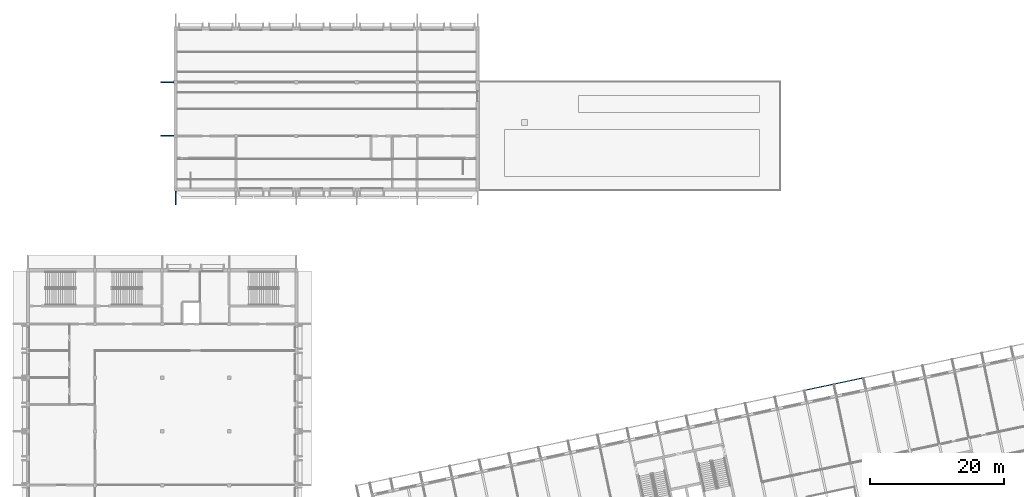
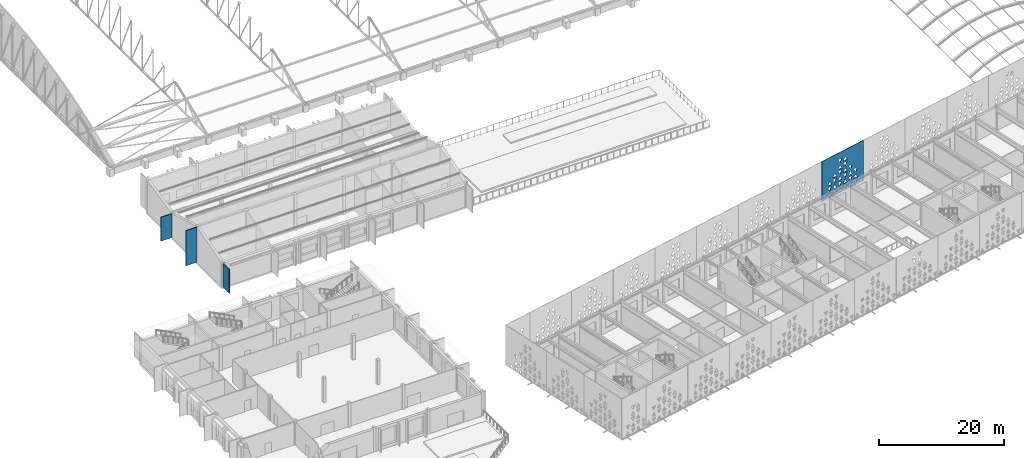
# One storey, part 106 of 196: 4 plates.
"""IFC4 building model written with IfcOpenShell, lengths in metres."""

from ifc_helpers import new_model, si_unit, direction, frame, origin, origin_2d, place, context, subcontext, project, spatial, polyline, rectangle, outline, extrude, material, layer, layer_set, type_object, element, save


model = new_model("IFC4")

# Units and contexts
model_context = context("Model", 3, precision=1e-05, world=origin(), true_north=direction((0.0, 1.0)))
body_context = subcontext(model_context, "Body", "Model", "MODEL_VIEW")
ifc_project = project(units=[si_unit("LENGTHUNIT", "METRE"), si_unit("AREAUNIT", "SQUARE_METRE"), si_unit("VOLUMEUNIT", "CUBIC_METRE"), si_unit("PLANEANGLEUNIT", "RADIAN"), si_unit("MASSUNIT", "GRAM", prefix="KILO")], contexts=[model_context])

# Site, building, storey
site_placement = place(None, origin())
site = spatial("IfcSite", under=ifc_project, at=site_placement, CompositionType="ELEMENT")
building_placement = place(site_placement, origin())
building = spatial("IfcBuilding", under=site, at=building_placement, Name="Okhra Congress Centre", CompositionType="ELEMENT")
storey_placement = place(building_placement, frame((0.0, 0.0, 12.0)))
storey = spatial("IfcBuildingStorey", under=building, at=storey_placement, Name="L02", CompositionType="ELEMENT", Elevation=12.0)

# Plates
ifc_material_1 = material(Name="Precast concrete C40/50", Category="concrete")
plate_type_1 = type_object("IfcPlateType", Name="Precast concrete blade 150x2000 C40/50", PredefinedType="SHEET", material=ifc_material_1)
plate_1_placement = place(storey_placement, frame((28.0, 94.77490234375, 0.0), z_axis=(0.0, 0.0, 1.0), x_axis=(1.0, 0.0, 0.0)))
element("IfcPlate", 1, at=plate_1_placement, inside=storey, type_object=plate_type_1, Name="SV.PLT.L02.blade-22", PredefinedType="SHEET", context=body_context, shape_type="SweptSolid", body=[
    extrude(rectangle(XDim=0.14990234375, YDim=2.0, at=origin_2d()), origin(), (0.0, 0.0, 1.0), 4.66796875),
])
plate_2_placement = place(storey_placement, frame((26.77490234375, 104.0, 0.0), z_axis=(0.0, 0.0, 1.0), x_axis=(0.0, -1.0, 0.0)))
element("IfcPlate", 2, at=plate_2_placement, inside=storey, type_object=plate_type_1, Name="SV.PLT.L02.blade-34", PredefinedType="SHEET", context=body_context, shape_type="SweptSolid", body=[
    extrude(rectangle(XDim=0.14990234375, YDim=2.0, at=origin_2d()), origin(), (0.0, 0.0, 1.0), 6.90185546875),
])
plate_3_placement = place(storey_placement, frame((26.77490234375, 112.0, 0.0), z_axis=(0.0, 0.0, 1.0), x_axis=(0.0, -1.0, 0.0)))
element("IfcPlate", 3, at=plate_3_placement, inside=storey, type_object=plate_type_1, Name="SV.PLT.L02.blade-35", PredefinedType="SHEET", context=body_context, shape_type="SweptSolid", body=[
    extrude(rectangle(XDim=0.14990234375, YDim=2.0, at=origin_2d()), origin(), (0.0, 0.0, 1.0), 4.67333984375),
])
ifc_material_2 = material(Name="Fired clay terracotta rainscreen panel, deep oxide-red glaze, non-combustible", Category="masonry")
ifc_layer = layer(ifc_material_2, 0.080078125)
ifc_layer_set = layer_set([ifc_layer], Name="Terracotta screen panel 8980x7840")
plate_type_2 = type_object("IfcPlateType", Name="Terracotta screen panel 8980x7840", PredefinedType="SHEET", material=ifc_layer_set)
plate_4_placement = place(storey_placement, frame((130.460205078125, 67.97314453125, 1.949951171875), z_axis=(0.0, 0.0, 1.0), x_axis=(-0.978144061878, -0.207928339131, 0.0)))
element("IfcPlate", 4, at=plate_4_placement, inside=storey, type_object=plate_type_2, Name="Screen panel N11 Tier 2", PredefinedType="SHEET", context=body_context, shape_type="SweptSolid", body=[
    extrude(outline(polyline([(0.0, 0.0), (8.97998046875, 0.0), (8.97998046875, 7.840087890625), (0.0, 7.840087890625), (0.0, 0.0)]), holes=[polyline([(0.176513671875, 0.183837890625), (0.943603515625, 0.183837890625), (0.56005859375, 0.93603515625), (0.176513671875, 0.183837890625)]), polyline([(1.29638671875, 0.93603515625), (1.679931640625, 0.183837890625), (2.0634765625, 0.93603515625), (1.29638671875, 0.93603515625)]), polyline([(2.41650390625, 0.183837890625), (3.18359375, 0.183837890625), (2.800048828125, 0.93603515625), (2.41650390625, 0.183837890625)]), polyline([(3.536376953125, 0.93603515625), (3.919921875, 0.183837890625), (4.3037109375, 0.93603515625), (3.536376953125, 0.93603515625)]), polyline([(4.656494140625, 0.183837890625), (5.423583984375, 0.183837890625), (5.0400390625, 0.93603515625), (4.656494140625, 0.183837890625)]), polyline([(5.7763671875, 0.93603515625), (6.159912109375, 0.183837890625), (6.543701171875, 0.93603515625), (5.7763671875, 0.93603515625)]), polyline([(6.896484375, 0.183837890625), (7.66357421875, 0.183837890625), (7.280029296875, 0.93603515625), (6.896484375, 0.183837890625)]), polyline([(8.016357421875, 0.93603515625), (8.39990234375, 0.183837890625), (8.78369140625, 0.93603515625), (8.016357421875, 0.93603515625)]), polyline([(1.29638671875, 1.303955078125), (2.0634765625, 1.303955078125), (1.679931640625, 2.05615234375), (1.29638671875, 1.303955078125)]), polyline([(2.41650390625, 2.05615234375), (2.800048828125, 1.303955078125), (3.18359375, 2.05615234375), (2.41650390625, 2.05615234375)]), polyline([(3.536376953125, 1.303955078125), (4.3037109375, 1.303955078125), (3.919921875, 2.05615234375), (3.536376953125, 1.303955078125)]), polyline([(4.656494140625, 2.05615234375), (5.0400390625, 1.303955078125), (5.423583984375, 2.05615234375), (4.656494140625, 2.05615234375)]), polyline([(5.7763671875, 1.303955078125), (6.543701171875, 1.303955078125), (6.159912109375, 2.05615234375), (5.7763671875, 1.303955078125)]), polyline([(6.896484375, 2.05615234375), (7.280029296875, 1.303955078125), (7.66357421875, 2.05615234375), (6.896484375, 2.05615234375)]), polyline([(1.29638671875, 3.176025390625), (1.679931640625, 2.423828125), (2.0634765625, 3.176025390625), (1.29638671875, 3.176025390625)]), polyline([(2.41650390625, 2.423828125), (3.18359375, 2.423828125), (2.800048828125, 3.176025390625), (2.41650390625, 2.423828125)]), polyline([(3.536376953125, 3.176025390625), (3.919921875, 2.423828125), (4.3037109375, 3.176025390625), (3.536376953125, 3.176025390625)]), polyline([(4.656494140625, 2.423828125), (5.423583984375, 2.423828125), (5.0400390625, 3.176025390625), (4.656494140625, 2.423828125)]), polyline([(5.7763671875, 3.176025390625), (6.159912109375, 2.423828125), (6.543701171875, 3.176025390625), (5.7763671875, 3.176025390625)]), polyline([(6.896484375, 2.423828125), (7.66357421875, 2.423828125), (7.280029296875, 3.176025390625), (6.896484375, 2.423828125)]), polyline([(2.41650390625, 4.296142578125), (2.800048828125, 3.5439453125), (3.18359375, 4.296142578125), (2.41650390625, 4.296142578125)]), polyline([(3.536376953125, 3.5439453125), (4.3037109375, 3.5439453125), (3.919921875, 4.296142578125), (3.536376953125, 3.5439453125)]), polyline([(4.656494140625, 4.296142578125), (5.0400390625, 3.5439453125), (5.423583984375, 4.296142578125), (4.656494140625, 4.296142578125)]), polyline([(5.7763671875, 3.5439453125), (6.543701171875, 3.5439453125), (6.159912109375, 4.296142578125), (5.7763671875, 3.5439453125)]), polyline([(3.536376953125, 5.416015625), (3.919921875, 4.663818359375), (4.3037109375, 5.416015625), (3.536376953125, 5.416015625)]), polyline([(4.656494140625, 4.663818359375), (5.423583984375, 4.663818359375), (5.0400390625, 5.416015625), (4.656494140625, 4.663818359375)]), polyline([(3.536376953125, 5.783935546875), (4.3037109375, 5.783935546875), (3.919921875, 6.5361328125), (3.536376953125, 5.783935546875)]), polyline([(4.656494140625, 6.5361328125), (5.0400390625, 5.783935546875), (5.423583984375, 6.5361328125), (4.656494140625, 6.5361328125)])]), frame((0.0, 0.0400390625, 0.0), z_axis=(0.0, -1.0, 0.0), x_axis=(1.0, 0.0, 0.0)), (0.0, 0.0, 1.0), 0.080078125),
])

save(model, "model.ifc")
